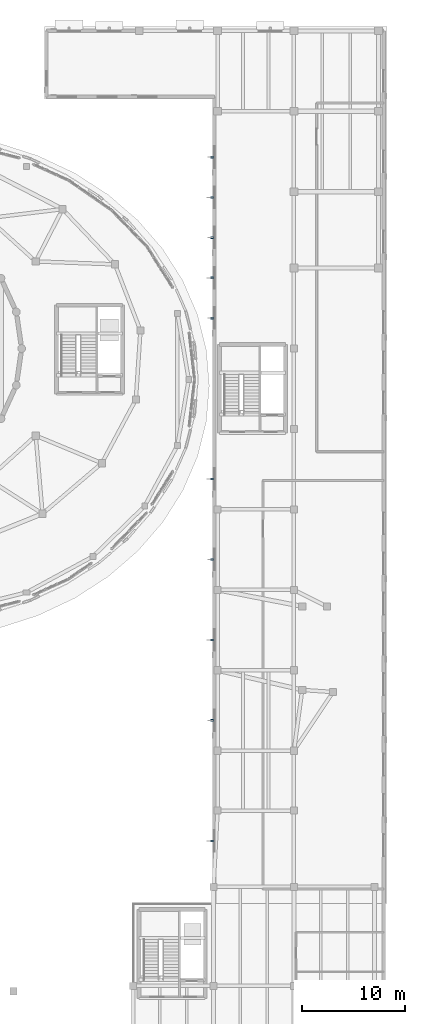
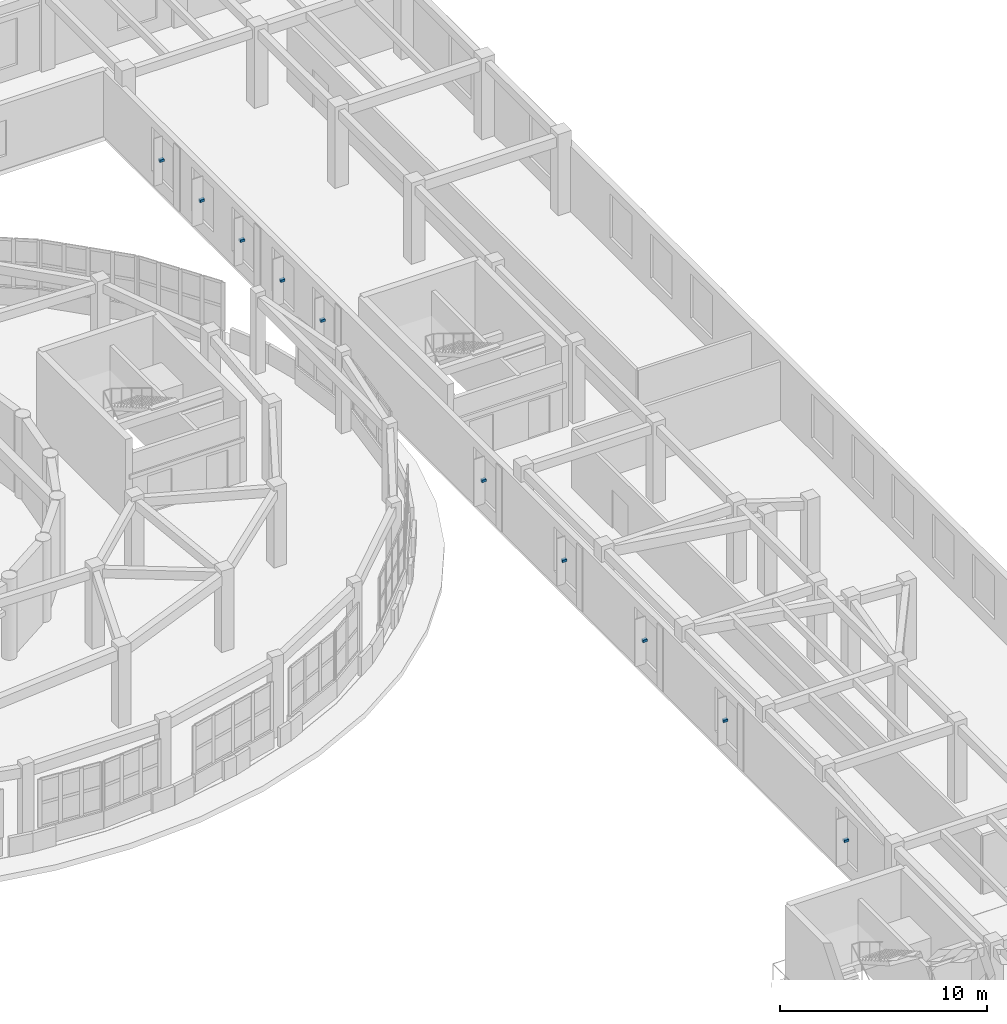
# One storey, part 86 of 98: 10 discrete accessories.
"""IFC4 building model written with IfcOpenShell, lengths in metres."""

import ifcopenshell
import ifcopenshell.guid

model = None  # the IFC model being written
_history = None  # IfcOwnerHistory: only IFC2X3 demands one
_inside = {}  # id of a spatial element -> (the spatial element, [elements in it])
_under = {}  # id of a project, library or spatial element -> (it, [spatial elements below it])
_declared = {}  # id of a project -> (the project, [libraries it declares])
_typed = {}  # id of a type object -> (the type object, [elements of that type])
_made_of = {}  # id of a material, layer set ... -> (it, [elements and type objects made of it])


def new_model(schema):
    """Start an empty IFC model of exactly this schema.

    Asked for "IFC4X3", IfcOpenShell would pick the latest addendum, in which some entities
    have other attributes; the version numbers below select the first issue.
    IFC2X3 requires an IfcOwnerHistory on every rooted entity: one is made here for all.
    """
    global model, _history
    if schema == "IFC4X3":
        model = ifcopenshell.file(schema_version=(4, 3, 0, 0))
    else:
        model = ifcopenshell.file(schema=schema)
    _inside.clear()
    _under.clear()
    _declared.clear()
    _typed.clear()
    _made_of.clear()
    _history = None
    if model.schema == "IFC2X3":
        org = make("IfcOrganization", Name="unknown")
        user = make(
            "IfcPersonAndOrganization",
            ThePerson=make("IfcPerson", FamilyName="unknown"),
            TheOrganization=org,
        )
        app = make(
            "IfcApplication",
            ApplicationDeveloper=org,
            Version="unknown",
            ApplicationFullName="unknown",
            ApplicationIdentifier="unknown",
        )
        _history = make(
            "IfcOwnerHistory",
            OwningUser=user,
            OwningApplication=app,
            ChangeAction="ADDED",
            CreationDate=0,
        )
    return model


def make(cls, **values):
    """One entity of the class cls with the attributes given. An attribute that is None is left unset."""
    return model.create_entity(
        cls, **{name: value for name, value in values.items() if value is not None}
    )


def rooted(cls, **values):
    """An entity with a GlobalId (a new one), such as an element, a storey or a relation."""
    return make(cls, GlobalId=ifcopenshell.guid.new(), OwnerHistory=_history, **values)


def si_unit(unit_type, name, prefix=None):
    """IfcSIUnit, for example si_unit("LENGTHUNIT", "METRE", prefix="MILLI")."""
    return make("IfcSIUnit", UnitType=unit_type, Prefix=prefix, Name=name)


def assignment(units):
    """IfcUnitAssignment: the units of a project."""
    return None if units is None else make("IfcUnitAssignment", Units=units)


def point(xyz):
    """IfcCartesianPoint."""
    return None if xyz is None else make("IfcCartesianPoint", Coordinates=xyz)


def direction(xyz):
    """IfcDirection."""
    return None if xyz is None else make("IfcDirection", DirectionRatios=xyz)


def frame(location, z_axis=None, x_axis=None):
    """IfcAxis2Placement3D, a coordinate frame: its origin and axes. An axis left out is left unset."""
    return make(
        "IfcAxis2Placement3D",
        Location=point(location),
        Axis=direction(z_axis),
        RefDirection=direction(x_axis),
    )


def frame_2d(location, x_axis=None):
    """IfcAxis2Placement2D, a coordinate frame in the plane: its origin and x axis."""
    return make(
        "IfcAxis2Placement2D", Location=point(location), RefDirection=direction(x_axis)
    )


def origin():
    """The frame at (0, 0, 0) with its axes left unset."""
    return frame((0.0, 0.0, 0.0))


def origin_2d():
    """The frame at (0, 0) in the plane with its x axis left unset."""
    return frame_2d((0.0, 0.0))


def place(relative_to, where):
    """IfcLocalPlacement: puts the frame where relative to a parent placement (None: the world)."""
    return make(
        "IfcLocalPlacement", PlacementRelTo=relative_to, RelativePlacement=where
    )


def context(
    kind, dimensions, precision=None, world=None, true_north=None, identifier=None
):
    """IfcGeometricRepresentationContext, for example the 3D "Model" context."""
    return make(
        "IfcGeometricRepresentationContext",
        ContextIdentifier=identifier,
        ContextType=kind,
        CoordinateSpaceDimension=dimensions,
        Precision=precision,
        WorldCoordinateSystem=world,
        TrueNorth=true_north,
    )


def subcontext(parent, identifier, kind, view, scale=None):
    """IfcGeometricRepresentationSubContext, for example "Body" below "Model"."""
    return make(
        "IfcGeometricRepresentationSubContext",
        ContextIdentifier=identifier,
        ContextType=kind,
        ParentContext=parent,
        TargetScale=scale,
        TargetView=view,
    )


def project(units=None, contexts=None):
    """IfcProject with its units and contexts."""
    return rooted(
        "IfcProject",
        Name="project",
        RepresentationContexts=contexts,
        UnitsInContext=assignment(units),
    )


def spatial(cls, under=None, at=None, **own):
    """A site, building, storey or space (cls), placed at a placement, below another one or the project."""
    s = rooted(cls, ObjectPlacement=at, **own)
    if under is not None:
        _under.setdefault(under.id(), (under, []))[1].append(s)
    return s


def profile(cls, at=None, kind="AREA", **sizes):
    """A parametric profile (cls). Its sizes go by their IFC names, for example OverallWidth=200.0."""
    return make(cls, ProfileType=kind, Position=at, **sizes)


def rectangle(**sizes):
    """IfcRectangleProfileDef."""
    return profile("IfcRectangleProfileDef", **sizes)


def extrude(swept, where, along, depth):
    """IfcExtrudedAreaSolid: the profile swept, set in the frame where, extruded along a direction by depth."""
    return make(
        "IfcExtrudedAreaSolid",
        SweptArea=swept,
        Position=where,
        ExtrudedDirection=direction(along),
        Depth=depth,
    )


def shape(context_of_items, identifier, shape_type, items):
    """IfcShapeRepresentation: the items that make up one representation, for example the "Body"."""
    return make(
        "IfcShapeRepresentation",
        ContextOfItems=context_of_items,
        RepresentationIdentifier=identifier,
        RepresentationType=shape_type,
        Items=items,
    )


def material(Name=None, Category=None):
    """IfcMaterial."""
    return make("IfcMaterial", Name=Name, Category=Category)


def made_of(thing, what):
    """Note that an element or type object is made of a material, layer set ...; save() writes the relation."""
    if what is not None:
        _made_of.setdefault(what.id(), (what, []))[1].append(thing)
    return thing


def type_object(cls, material=None, **own):
    """A type object (cls), such as IfcWallType, which elements share."""
    return made_of(rooted(cls, **own), material)


def element(
    cls,
    number,
    at=None,
    inside=None,
    cuts=None,
    type_object=None,
    material=None,
    context=None,
    identifier="Body",
    shape_type=None,
    held_by="IfcProductDefinitionShape",
    body=None,
    shapes=None,
    **own,
):
    """One element of the class cls, such as IfcWall. Its Tag is "e" and its number.

    at: its placement. inside: the storey or other place that contains it. cuts: it is an
    opening in that element (IfcRelVoidsElement). A single representation is given by context,
    identifier, shape_type and body (its items); several are given by shapes. held_by: the class
    of the entity that holds the representations. save() writes the other relations.
    """
    e = rooted(cls, Tag="e%d" % number, ObjectPlacement=at, **own)
    if body is not None:
        shapes = [shape(context, identifier, shape_type, body)]
    if shapes is not None:
        e.Representation = make(held_by, Representations=shapes)
    if inside is not None:
        _inside.setdefault(inside.id(), (inside, []))[1].append(e)
    if cuts is not None:
        rooted(
            "IfcRelVoidsElement", RelatingBuildingElement=cuts, RelatedOpeningElement=e
        )
    if type_object is not None:
        _typed.setdefault(type_object.id(), (type_object, []))[1].append(e)
    return made_of(e, material)


def aggregate(whole, parts):
    """IfcRelAggregates: a whole, such as a stair, and the parts it consists of."""
    return rooted("IfcRelAggregates", RelatingObject=whole, RelatedObjects=parts)


def save(model, path):
    """Write the relations noted so far, then the file.

    IfcRelAggregates (storeys below a building ...), IfcRelContainedInSpatialStructure (elements
    in a storey), IfcRelDefinesByType, IfcRelAssociatesMaterial and IfcRelDeclares: one each for
    every whole, place, type object, material and project.
    """
    for whole, parts in _under.values():
        aggregate(whole, parts)
    for where, things in _inside.values():
        rooted(
            "IfcRelContainedInSpatialStructure",
            RelatedElements=things,
            RelatingStructure=where,
        )
    for kind, things in _typed.values():
        rooted("IfcRelDefinesByType", RelatedObjects=things, RelatingType=kind)
    for what, things in _made_of.values():
        rooted("IfcRelAssociatesMaterial", RelatedObjects=things, RelatingMaterial=what)
    for by, libraries in _declared.values():
        rooted("IfcRelDeclares", RelatingContext=by, RelatedDefinitions=libraries)
    model.write(path)


model = new_model("IFC4")

# Units and contexts
model_context = context("Model", 3, precision=1e-05, world=origin(), true_north=direction((0.0, 1.0)))
body_context = subcontext(model_context, "Body", "Model", "MODEL_VIEW")
ifc_project = project(units=[si_unit("LENGTHUNIT", "METRE"), si_unit("AREAUNIT", "SQUARE_METRE"), si_unit("VOLUMEUNIT", "CUBIC_METRE"), si_unit("PLANEANGLEUNIT", "RADIAN"), si_unit("MASSUNIT", "GRAM", prefix="KILO")], contexts=[model_context])

# Site, building, storey
site_placement = place(None, origin())
site = spatial("IfcSite", under=ifc_project, at=site_placement, CompositionType="ELEMENT")
building_placement = place(site_placement, origin())
building = spatial("IfcBuilding", under=site, at=building_placement, Name="Pelvatis Terrace Science Centre", CompositionType="ELEMENT")
storey_placement = place(building_placement, frame((0.0, 0.0, 5.39990234375)))
storey = spatial("IfcBuildingStorey", under=building, at=storey_placement, Name="L01", CompositionType="ELEMENT", Elevation=5.39990234375)

# Discrete accessories
ifc_material = material(Name="Structural steel S355", Category="steel")
discrete_accessory_type = type_object("IfcDiscreteAccessoryType", Name="BRK-STL-01", PredefinedType="BRACKET", material=ifc_material)
for number, where, name in (
    (1, (140.257568359375, 38.050048828125, 2.010009765625), "Facade shading bracket BRK-WIN-L01-046"),
    (2, (140.257568359375, 49.75, 2.010009765625), "Facade shading bracket BRK-WIN-L01-047"),
    (3, (140.257568359375, 57.550048828125, 2.010009765625), "Facade shading bracket BRK-WIN-L01-048"),
    (4, (140.257568359375, 65.35009765625, 2.010009765625), "Facade shading bracket BRK-WIN-L01-049"),
    (5, (140.257568359375, 73.14990234375, 2.010009765625), "Facade shading bracket BRK-WIN-L01-050"),
    (6, (140.257568359375, 88.75, 2.010009765625), "Facade shading bracket BRK-WIN-L01-051"),
    (7, (140.257568359375, 92.64990234375, 2.010009765625), "Facade shading bracket BRK-WIN-L01-052"),
    (8, (140.257568359375, 96.550048828125, 2.010009765625), "Facade shading bracket BRK-WIN-L01-053"),
    (9, (140.257568359375, 100.449951171875, 2.010009765625), "Facade shading bracket BRK-WIN-L01-054"),
    (10, (140.257568359375, 104.35009765625, 2.010009765625), "Facade shading bracket BRK-WIN-L01-055"),
):
    element("IfcDiscreteAccessory", number, at=place(storey_placement, frame(where)), inside=storey, type_object=discrete_accessory_type, Name=name, PredefinedType="BRACKET", context=body_context, shape_type="SweptSolid", body=[
        extrude(rectangle(XDim=0.24, YDim=0.18, at=origin_2d()), origin(), (0.0, 0.0, 1.0), 0.139892578125),
    ])

save(model, "model.ifc")
